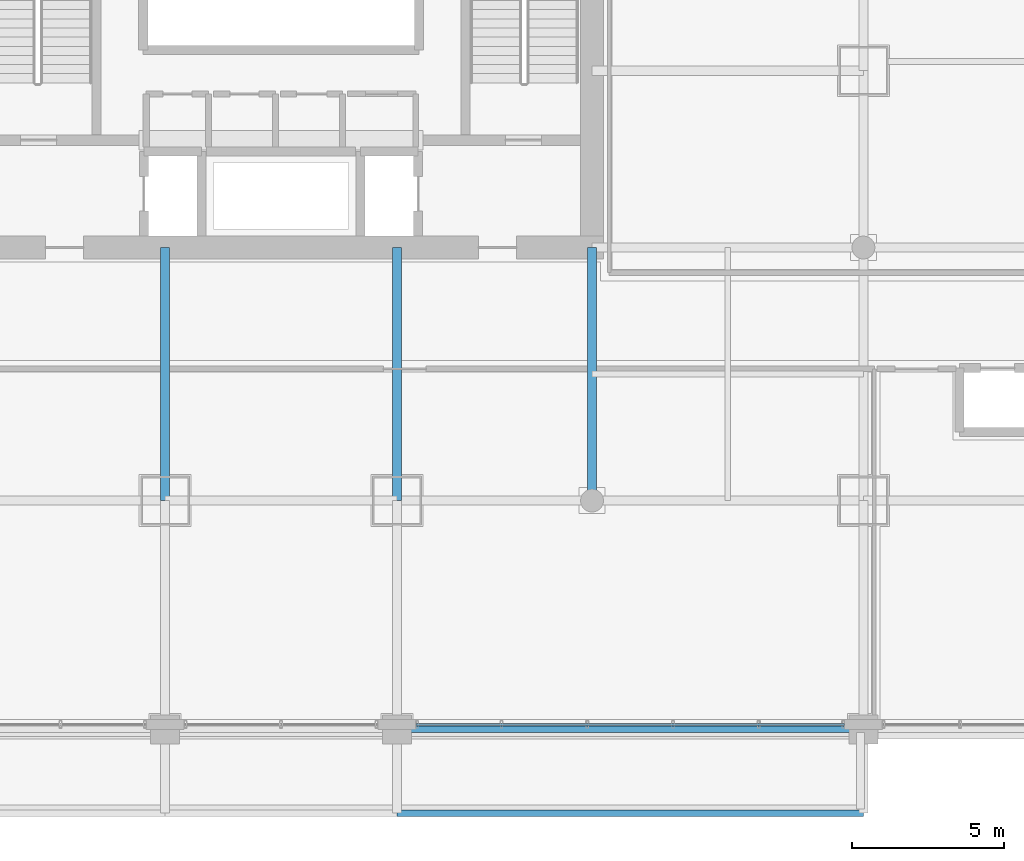
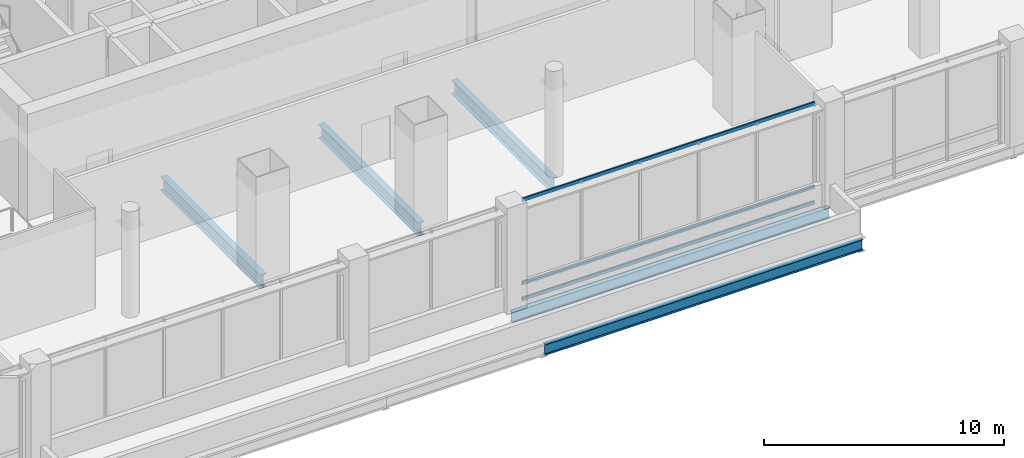
# One storey, part 9 of 43: 5 beams, 3 members, 1 element without a shape of its own.
"""IFC4 building model written with IfcOpenShell, lengths in metres."""

import ifcopenshell
import ifcopenshell.guid

model = None  # the IFC model being written
_history = None  # IfcOwnerHistory: only IFC2X3 demands one
_inside = {}  # id of a spatial element -> (the spatial element, [elements in it])
_under = {}  # id of a project, library or spatial element -> (it, [spatial elements below it])
_declared = {}  # id of a project -> (the project, [libraries it declares])
_typed = {}  # id of a type object -> (the type object, [elements of that type])
_made_of = {}  # id of a material, layer set ... -> (it, [elements and type objects made of it])


def new_model(schema):
    """Start an empty IFC model of exactly this schema.

    Asked for "IFC4X3", IfcOpenShell would pick the latest addendum, in which some entities
    have other attributes; the version numbers below select the first issue.
    IFC2X3 requires an IfcOwnerHistory on every rooted entity: one is made here for all.
    """
    global model, _history
    if schema == "IFC4X3":
        model = ifcopenshell.file(schema_version=(4, 3, 0, 0))
    else:
        model = ifcopenshell.file(schema=schema)
    _inside.clear()
    _under.clear()
    _declared.clear()
    _typed.clear()
    _made_of.clear()
    _history = None
    if model.schema == "IFC2X3":
        org = make("IfcOrganization", Name="unknown")
        user = make(
            "IfcPersonAndOrganization",
            ThePerson=make("IfcPerson", FamilyName="unknown"),
            TheOrganization=org,
        )
        app = make(
            "IfcApplication",
            ApplicationDeveloper=org,
            Version="unknown",
            ApplicationFullName="unknown",
            ApplicationIdentifier="unknown",
        )
        _history = make(
            "IfcOwnerHistory",
            OwningUser=user,
            OwningApplication=app,
            ChangeAction="ADDED",
            CreationDate=0,
        )
    return model


def make(cls, **values):
    """One entity of the class cls with the attributes given. An attribute that is None is left unset."""
    return model.create_entity(
        cls, **{name: value for name, value in values.items() if value is not None}
    )


def rooted(cls, **values):
    """An entity with a GlobalId (a new one), such as an element, a storey or a relation."""
    return make(cls, GlobalId=ifcopenshell.guid.new(), OwnerHistory=_history, **values)


def si_unit(unit_type, name, prefix=None):
    """IfcSIUnit, for example si_unit("LENGTHUNIT", "METRE", prefix="MILLI")."""
    return make("IfcSIUnit", UnitType=unit_type, Prefix=prefix, Name=name)


def assignment(units):
    """IfcUnitAssignment: the units of a project."""
    return None if units is None else make("IfcUnitAssignment", Units=units)


def point(xyz):
    """IfcCartesianPoint."""
    return None if xyz is None else make("IfcCartesianPoint", Coordinates=xyz)


def direction(xyz):
    """IfcDirection."""
    return None if xyz is None else make("IfcDirection", DirectionRatios=xyz)


def frame(location, z_axis=None, x_axis=None):
    """IfcAxis2Placement3D, a coordinate frame: its origin and axes. An axis left out is left unset."""
    return make(
        "IfcAxis2Placement3D",
        Location=point(location),
        Axis=direction(z_axis),
        RefDirection=direction(x_axis),
    )


def frame_2d(location, x_axis=None):
    """IfcAxis2Placement2D, a coordinate frame in the plane: its origin and x axis."""
    return make(
        "IfcAxis2Placement2D", Location=point(location), RefDirection=direction(x_axis)
    )


def origin():
    """The frame at (0, 0, 0) with its axes left unset."""
    return frame((0.0, 0.0, 0.0))


def origin_2d():
    """The frame at (0, 0) in the plane with its x axis left unset."""
    return frame_2d((0.0, 0.0))


def place(relative_to, where):
    """IfcLocalPlacement: puts the frame where relative to a parent placement (None: the world)."""
    return make(
        "IfcLocalPlacement", PlacementRelTo=relative_to, RelativePlacement=where
    )


def context(
    kind, dimensions, precision=None, world=None, true_north=None, identifier=None
):
    """IfcGeometricRepresentationContext, for example the 3D "Model" context."""
    return make(
        "IfcGeometricRepresentationContext",
        ContextIdentifier=identifier,
        ContextType=kind,
        CoordinateSpaceDimension=dimensions,
        Precision=precision,
        WorldCoordinateSystem=world,
        TrueNorth=true_north,
    )


def subcontext(parent, identifier, kind, view, scale=None):
    """IfcGeometricRepresentationSubContext, for example "Body" below "Model"."""
    return make(
        "IfcGeometricRepresentationSubContext",
        ContextIdentifier=identifier,
        ContextType=kind,
        ParentContext=parent,
        TargetScale=scale,
        TargetView=view,
    )


def project(units=None, contexts=None):
    """IfcProject with its units and contexts."""
    return rooted(
        "IfcProject",
        Name="project",
        RepresentationContexts=contexts,
        UnitsInContext=assignment(units),
    )


def spatial(cls, under=None, at=None, **own):
    """A site, building, storey or space (cls), placed at a placement, below another one or the project."""
    s = rooted(cls, ObjectPlacement=at, **own)
    if under is not None:
        _under.setdefault(under.id(), (under, []))[1].append(s)
    return s


def profile(cls, at=None, kind="AREA", **sizes):
    """A parametric profile (cls). Its sizes go by their IFC names, for example OverallWidth=200.0."""
    return make(cls, ProfileType=kind, Position=at, **sizes)


def hollow_rectangle(**sizes):
    """IfcRectangleHollowProfileDef."""
    return profile("IfcRectangleHollowProfileDef", **sizes)


def i_section(**sizes):
    """IfcIShapeProfileDef."""
    return profile("IfcIShapeProfileDef", **sizes)


def extrude(swept, where, along, depth):
    """IfcExtrudedAreaSolid: the profile swept, set in the frame where, extruded along a direction by depth."""
    return make(
        "IfcExtrudedAreaSolid",
        SweptArea=swept,
        Position=where,
        ExtrudedDirection=direction(along),
        Depth=depth,
    )


def shape(context_of_items, identifier, shape_type, items):
    """IfcShapeRepresentation: the items that make up one representation, for example the "Body"."""
    return make(
        "IfcShapeRepresentation",
        ContextOfItems=context_of_items,
        RepresentationIdentifier=identifier,
        RepresentationType=shape_type,
        Items=items,
    )


def material(Name=None, Category=None):
    """IfcMaterial."""
    return make("IfcMaterial", Name=Name, Category=Category)


def material_profile(
    of_material, cross_section, Name=None, Category=None, Priority=None
):
    """IfcMaterialProfile: a cross section and its material."""
    return make(
        "IfcMaterialProfile",
        Name=Name,
        Material=of_material,
        Profile=cross_section,
        Priority=Priority,
        Category=Category,
    )


def profile_set(profiles, Name=None, composite=None):
    """IfcMaterialProfileSet."""
    return make(
        "IfcMaterialProfileSet",
        Name=Name,
        MaterialProfiles=profiles,
        CompositeProfile=composite,
    )


def made_of(thing, what):
    """Note that an element or type object is made of a material, layer set ...; save() writes the relation."""
    if what is not None:
        _made_of.setdefault(what.id(), (what, []))[1].append(thing)
    return thing


def type_object(cls, material=None, **own):
    """A type object (cls), such as IfcWallType, which elements share."""
    return made_of(rooted(cls, **own), material)


def element(
    cls,
    number,
    at=None,
    inside=None,
    cuts=None,
    type_object=None,
    material=None,
    context=None,
    identifier="Body",
    shape_type=None,
    held_by="IfcProductDefinitionShape",
    body=None,
    shapes=None,
    **own,
):
    """One element of the class cls, such as IfcWall. Its Tag is "e" and its number.

    at: its placement. inside: the storey or other place that contains it. cuts: it is an
    opening in that element (IfcRelVoidsElement). A single representation is given by context,
    identifier, shape_type and body (its items); several are given by shapes. held_by: the class
    of the entity that holds the representations. save() writes the other relations.
    """
    e = rooted(cls, Tag="e%d" % number, ObjectPlacement=at, **own)
    if body is not None:
        shapes = [shape(context, identifier, shape_type, body)]
    if shapes is not None:
        e.Representation = make(held_by, Representations=shapes)
    if inside is not None:
        _inside.setdefault(inside.id(), (inside, []))[1].append(e)
    if cuts is not None:
        rooted(
            "IfcRelVoidsElement", RelatingBuildingElement=cuts, RelatedOpeningElement=e
        )
    if type_object is not None:
        _typed.setdefault(type_object.id(), (type_object, []))[1].append(e)
    return made_of(e, material)


def aggregate(whole, parts):
    """IfcRelAggregates: a whole, such as a stair, and the parts it consists of."""
    return rooted("IfcRelAggregates", RelatingObject=whole, RelatedObjects=parts)


def save(model, path):
    """Write the relations noted so far, then the file.

    IfcRelAggregates (storeys below a building ...), IfcRelContainedInSpatialStructure (elements
    in a storey), IfcRelDefinesByType, IfcRelAssociatesMaterial and IfcRelDeclares: one each for
    every whole, place, type object, material and project.
    """
    for whole, parts in _under.values():
        aggregate(whole, parts)
    for where, things in _inside.values():
        rooted(
            "IfcRelContainedInSpatialStructure",
            RelatedElements=things,
            RelatingStructure=where,
        )
    for kind, things in _typed.values():
        rooted("IfcRelDefinesByType", RelatedObjects=things, RelatingType=kind)
    for what, things in _made_of.values():
        rooted("IfcRelAssociatesMaterial", RelatedObjects=things, RelatingMaterial=what)
    for by, libraries in _declared.values():
        rooted("IfcRelDeclares", RelatingContext=by, RelatedDefinitions=libraries)
    model.write(path)


model = new_model("IFC4")

# Units and contexts
model_context = context("Model", 3, precision=1e-05, world=origin(), true_north=direction((0.0, 1.0)))
body_context = subcontext(model_context, "Body", "Model", "MODEL_VIEW")
ifc_project = project(units=[si_unit("LENGTHUNIT", "METRE"), si_unit("AREAUNIT", "SQUARE_METRE"), si_unit("VOLUMEUNIT", "CUBIC_METRE"), si_unit("PLANEANGLEUNIT", "RADIAN"), si_unit("MASSUNIT", "GRAM", prefix="KILO")], contexts=[model_context])

# Site, building, storey
site_placement = place(None, origin())
site = spatial("IfcSite", under=ifc_project, at=site_placement, CompositionType="ELEMENT")
building_placement = place(site_placement, origin())
building = spatial("IfcBuilding", under=site, at=building_placement, Name="Punatoya Terracotta Tower", CompositionType="ELEMENT")
storey_placement = place(building_placement, frame((0.0, 0.0, 6.0)))
storey = spatial("IfcBuildingStorey", under=building, at=storey_placement, Name="L01", CompositionType="ELEMENT", Elevation=6.0)

# Beams
ifc_material_1 = material(Name="Steel S355", Category="steel")
ifc_material_profile_1 = material_profile(ifc_material_1, i_section(OverallWidth=0.300048828125, OverallDepth=0.699951171875, WebThickness=0.01708984375, FlangeThickness=0.031982421875, FilletRadius=0.01806640625, at=origin_2d()))
ifc_profile_set_1 = profile_set([ifc_material_profile_1], Name="Steel S355")
beam_type_1 = type_object("IfcBeamType", Name="BM-PRI-700", PredefinedType="BEAM", material=ifc_profile_set_1)
for number, where, z_axis, x_axis, name in (
    (1, (-3.800048828125, -17.5, -0.6298828125), (0.0, 1.0, 0.0), (-1.0, 0.0, 0.0), "BM-L01-PR-S2"),
    (2, (3.800048828125, -17.5, -0.6298828125), (0.0, 1.0, 0.0), (-1.0, 0.0, 0.0), "BM-L01-PR-S3"),
    (3, (10.199951171875, -17.5, -0.6298828125), (0.0, 1.0, 0.0), (-1.0, 0.0, 0.0), "BM-L01-PR-S4"),
):
    element("IfcBeam", number, at=place(storey_placement, frame(where, z_axis=z_axis, x_axis=x_axis)), inside=storey, type_object=beam_type_1, Name=name, PredefinedType="BEAM", context=body_context, shape_type="SweptSolid", body=[
        extrude(i_section(OverallWidth=0.300048828125, OverallDepth=0.699951171875, WebThickness=0.01708984375, FlangeThickness=0.031982421875, FilletRadius=0.01806640625, at=origin_2d()), origin(), (0.0, 0.0, 1.0), 8.300048828125),
    ])
ifc_material_profile_2 = material_profile(ifc_material_1, i_section(OverallWidth=0.2099609375, OverallDepth=0.550048828125, WebThickness=0.010986328125, FlangeThickness=0.01708984375, FilletRadius=0.01806640625, at=origin_2d()))
ifc_profile_set_2 = profile_set([ifc_material_profile_2], Name="Steel S355")
beam_type_2 = type_object("IfcBeamType", Name="BM-SPN-550", PredefinedType="SPANDREL", material=ifc_profile_set_2)
for number, where, z_axis, x_axis, name in (
    (4, (3.800048828125, -25.0, -0.554931640625), (1.0, 0.0, 0.0), (0.0, 1.0, 0.0), "BM-L01-MIDA-3"),
    (5, (3.800048828125, -27.75, -0.52490234375), (1.0, 0.0, 0.0), (0.0, 1.0, 0.0), "BM-L01-CANFS-3"),
):
    element("IfcBeam", number, at=place(storey_placement, frame(where, z_axis=z_axis, x_axis=x_axis)), inside=storey, type_object=beam_type_2, Name=name, PredefinedType="SPANDREL", context=body_context, shape_type="SweptSolid", body=[
        extrude(i_section(OverallWidth=0.2099609375, OverallDepth=0.550048828125, WebThickness=0.010986328125, FlangeThickness=0.01708984375, FilletRadius=0.01806640625, at=origin_2d()), origin(), (0.0, 0.0, 1.0), 15.300048828125),
    ])

# Curtain wall, members
ifc_material_2 = material(Name="Aluminium 6063-T6 + Double Low-E Glass", Category="aluminium")
curtain_wall_type = type_object("IfcCurtainWallType", Name="CW-POD", PredefinedType="NOTDEFINED", material=ifc_material_2)
curtain_wall_placement = place(storey_placement, origin())
curtain_wall = element("IfcCurtainWall", 6, at=curtain_wall_placement, inside=storey, type_object=curtain_wall_type, Name="L01 Curtain Wall CWP-L01-S5", PredefinedType="NOTDEFINED")
ifc_material_3 = material(Name="Aluminium 6063-T6", Category="aluminium")
ifc_material_profile_3 = material_profile(ifc_material_3, hollow_rectangle(XDim=0.074951171875, YDim=0.175048828125, WallThickness=0.00439453125, at=origin_2d()))
ifc_profile_set_3 = profile_set([ifc_material_profile_3], Name="Aluminium 6063-T6")
member_type = type_object("IfcMemberType", Name="CW-TRN-POD", PredefinedType="USERDEFINED", material=ifc_profile_set_3)
member_1_placement = place(storey_placement, frame((4.419921875, -24.840087890625, 0.0400390625), z_axis=(1.0, 0.0, 0.0), x_axis=(0.0, 1.0, 0.0)))
member_1 = element("IfcMember", 7, at=member_1_placement, type_object=member_type, Name="CWP-L01-S5 Transom 1", ObjectType="TRANSOM", PredefinedType="USERDEFINED", context=body_context, shape_type="SweptSolid", body=[
    extrude(hollow_rectangle(XDim=0.074951171875, YDim=0.175048828125, WallThickness=0.00439453125, at=origin_2d()), origin(), (0.0, 0.0, 1.0), 14.06005859375),
])
member_2_placement = place(storey_placement, frame((4.419921875, -24.840087890625, 0.85009765625), z_axis=(1.0, 0.0, 0.0), x_axis=(0.0, 1.0, 0.0)))
member_2 = element("IfcMember", 8, at=member_2_placement, type_object=member_type, Name="CWP-L01-S5 Transom 2", ObjectType="TRANSOM", PredefinedType="USERDEFINED", context=body_context, shape_type="SweptSolid", body=[
    extrude(hollow_rectangle(XDim=0.074951171875, YDim=0.175048828125, WallThickness=0.00439453125, at=origin_2d()), origin(), (0.0, 0.0, 1.0), 14.06005859375),
])
member_3_placement = place(storey_placement, frame((4.419921875, -24.840087890625, 5.080078125), z_axis=(1.0, 0.0, 0.0), x_axis=(0.0, 1.0, 0.0)))
member_3 = element("IfcMember", 9, at=member_3_placement, type_object=member_type, Name="CWP-L01-S5 Transom 3", ObjectType="TRANSOM", PredefinedType="USERDEFINED", context=body_context, shape_type="SweptSolid", body=[
    extrude(hollow_rectangle(XDim=0.074951171875, YDim=0.175048828125, WallThickness=0.00439453125, at=origin_2d()), origin(), (0.0, 0.0, 1.0), 14.06005859375),
])
aggregate(curtain_wall, [member_1, member_2, member_3])

save(model, "model.ifc")
